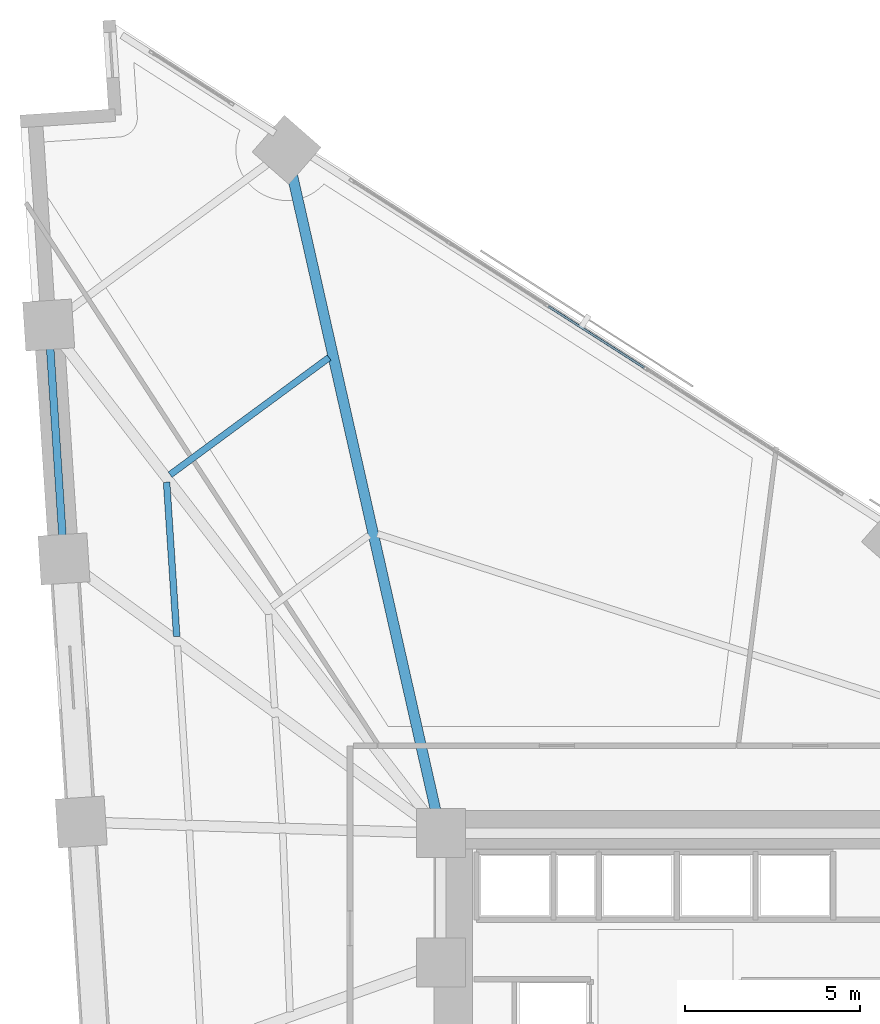
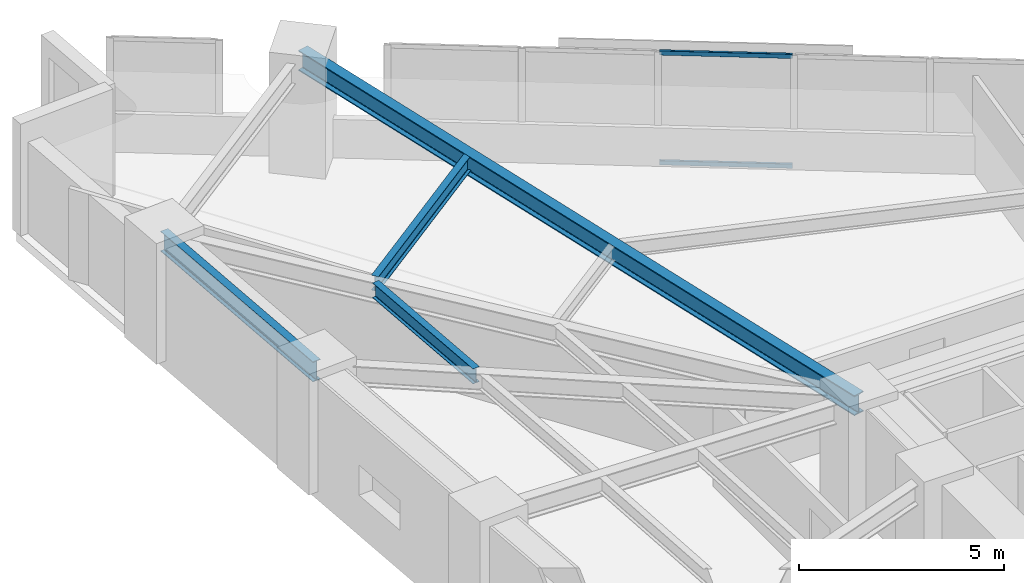
# One storey, part 8 of 16: 4 beams, 2 members, 1 element without a shape of its own.
"""IFC4 building model written with IfcOpenShell, lengths in metres."""

from ifc_helpers import new_model, si_unit, direction, frame, origin, origin_2d, place, context, subcontext, project, spatial, hollow_rectangle, i_section, extrude, material, material_profile, profile_set, type_object, element, aggregate, save


model = new_model("IFC4")

# Units and contexts
model_context = context("Model", 3, precision=1e-05, world=origin(), true_north=direction((0.0, 1.0)))
body_context = subcontext(model_context, "Body", "Model", "MODEL_VIEW")
ifc_project = project(units=[si_unit("LENGTHUNIT", "METRE"), si_unit("AREAUNIT", "SQUARE_METRE"), si_unit("VOLUMEUNIT", "CUBIC_METRE"), si_unit("PLANEANGLEUNIT", "RADIAN"), si_unit("MASSUNIT", "GRAM", prefix="KILO")], contexts=[model_context])

# Site, building, storey
site_placement = place(None, origin())
site = spatial("IfcSite", under=ifc_project, at=site_placement, CompositionType="ELEMENT")
building_placement = place(site_placement, origin())
building = spatial("IfcBuilding", under=site, at=building_placement, Name="Narakoshi Arena Tower", CompositionType="ELEMENT")
storey_placement = place(building_placement, frame((0.0, 0.0, 77.699951171875)))
storey = spatial("IfcBuildingStorey", under=building, at=storey_placement, Name="L20", CompositionType="ELEMENT", Elevation=77.699951171875)

# Beams
ifc_material_1 = material(Name="Structural steel S355J2", Category="steel")
ifc_material_profile_1 = material_profile(ifc_material_1, i_section(OverallWidth=0.219970703125, OverallDepth=0.60009765625, WebThickness=0.011962890625, FlangeThickness=0.01904296875, FilletRadius=0.02392578125, at=origin_2d()), Name="IPE600")
ifc_profile_set_1 = profile_set([ifc_material_profile_1], Name="Structural steel S355J2")
beam_type_1 = type_object("IfcBeamType", Name="BM-EDGE-600", PredefinedType="BEAM", material=ifc_profile_set_1)
beam_1_placement = place(storey_placement, frame((60.785400390625, 71.031005859375, 3.0400390625), z_axis=(0.065421350693, -0.997857728774, 0.0), x_axis=(0.997857728774, 0.065421350693, 0.0)))
element("IfcBeam", 1, at=beam_1_placement, inside=storey, type_object=beam_type_1, Name="L20 Perimeter Edge Girder 12", PredefinedType="BEAM", context=body_context, shape_type="SweptSolid", body=[
    extrude(i_section(OverallWidth=0.219970703125, OverallDepth=0.60009765625, WebThickness=0.011962890625, FlangeThickness=0.01904296875, FilletRadius=0.02392578125, at=origin_2d()), origin(), (0.0, 0.0, 1.0), 6.702392578125),
])
ifc_material_profile_2 = material_profile(ifc_material_1, i_section(OverallWidth=0.300048828125, OverallDepth=0.60009765625, WebThickness=0.015380859375, FlangeThickness=0.030029296875, FilletRadius=0.027099609375, at=origin_2d()), Name="HE600B")
ifc_profile_set_2 = profile_set([ifc_material_profile_2], Name="Structural steel S355J2")
beam_type_2 = type_object("IfcBeamType", Name="BM-PRI-600", PredefinedType="BEAM", material=ifc_profile_set_2)
beam_2_placement = place(storey_placement, frame((72.0, 56.5, 3.0400390625), z_axis=(-0.220123978285, 0.975471903329, 0.0), x_axis=(-0.975471903329, -0.220123978285, 0.0)))
element("IfcBeam", 2, at=beam_2_placement, inside=storey, type_object=beam_type_2, Name="L20 Radial Primary Floor Girder 11", PredefinedType="BEAM", context=body_context, shape_type="SweptSolid", body=[
    extrude(i_section(OverallWidth=0.300048828125, OverallDepth=0.60009765625, WebThickness=0.015380859375, FlangeThickness=0.030029296875, FilletRadius=0.027099609375, at=origin_2d()), origin(), (0.0, 0.0, 1.0), 20.034912109375),
])
ifc_material_profile_3 = material_profile(ifc_material_1, i_section(OverallWidth=0.18994140625, OverallDepth=0.449951171875, WebThickness=0.009521484375, FlangeThickness=0.0146484375, FilletRadius=0.02099609375, at=origin_2d()), Name="IPE450")
ifc_profile_set_3 = profile_set([ifc_material_profile_3], Name="Structural steel S355J2")
beam_type_3 = type_object("IfcBeamType", Name="BM-SEC-450", PredefinedType="JOIST", material=ifc_profile_set_3)
beam_3_placement = place(storey_placement, frame((68.80419921875, 70.100341796875, 3.114990234375), z_axis=(-0.805123218291, -0.593107581615, 0.0), x_axis=(0.593107581615, -0.805123218291, 0.0)))
element("IfcBeam", 3, at=beam_3_placement, inside=storey, type_object=beam_type_3, Name="L20 Composite Secondary Floor Joist 11", PredefinedType="JOIST", context=body_context, shape_type="SweptSolid", body=[
    extrude(i_section(OverallWidth=0.18994140625, OverallDepth=0.449951171875, WebThickness=0.009521484375, FlangeThickness=0.0146484375, FilletRadius=0.02099609375, at=origin_2d()), origin(), (0.0, 0.0, 1.0), 5.64599609375),
])
beam_4_placement = place(storey_placement, frame((64.15869140625, 66.536865234375, 3.114990234375), z_axis=(0.065375559108, -0.997860729897, 0.0), x_axis=(0.997860729897, 0.065375559108, 0.0)))
element("IfcBeam", 4, at=beam_4_placement, inside=storey, type_object=beam_type_3, Name="L20 Composite Secondary Floor Joist 13", PredefinedType="JOIST", context=body_context, shape_type="SweptSolid", body=[
    extrude(i_section(OverallWidth=0.18994140625, OverallDepth=0.449951171875, WebThickness=0.009521484375, FlangeThickness=0.0146484375, FilletRadius=0.02099609375, at=origin_2d()), origin(), (0.0, 0.0, 1.0), 4.421630859375),
])

# Curtain wall, members
ifc_material_2 = material(Name="Anodised bronze aluminium 6063-T6", Category="aluminium")
curtain_wall_type = type_object("IfcCurtainWallType", Name="CW-HYP-LOW", PredefinedType="NOTDEFINED", material=ifc_material_2)
curtain_wall_placement = place(storey_placement, origin())
curtain_wall = element("IfcCurtainWall", 5, at=curtain_wall_placement, inside=storey, type_object=curtain_wall_type, Name="L20 Folded Hypotenuse Curtain Wall 2-2", PredefinedType="NOTDEFINED")
ifc_material_profile_4 = material_profile(ifc_material_2, hollow_rectangle(XDim=0.06494140625, YDim=0.1298828125, WallThickness=0.00390625, OuterFilletRadius=0.0048828125, at=origin_2d()), Name="TRN130x65x4")
ifc_profile_set_4 = profile_set([ifc_material_profile_4], Name="Anodised bronze aluminium 6063-T6")
member_type = type_object("IfcMemberType", Name="MEM-TRN-130", PredefinedType="USERDEFINED", material=ifc_profile_set_4)
member_1_placement = place(storey_placement, frame((77.81201171875, 69.813720703125, 0.032470703125), z_axis=(-0.842407668774, 0.5388407182, 0.0), x_axis=(-0.5388407182, -0.842407668774, 0.0)))
member_1 = element("IfcMember", 6, at=member_1_placement, type_object=member_type, Name="CW-01 transom 3.1", ObjectType="TRANSOM", PredefinedType="USERDEFINED", context=body_context, shape_type="SweptSolid", body=[
    extrude(hollow_rectangle(XDim=0.06494140625, YDim=0.1298828125, WallThickness=0.00390625, OuterFilletRadius=0.0048828125, at=origin_2d()), origin(), (0.0, 0.0, 1.0), 3.253173828125),
])
member_2_placement = place(storey_placement, frame((77.81201171875, 69.813720703125, 3.3076171875), z_axis=(-0.842407668774, 0.5388407182, 0.0), x_axis=(-0.5388407182, -0.842407668774, 0.0)))
member_2 = element("IfcMember", 7, at=member_2_placement, type_object=member_type, Name="CW-01 transom 3.2", ObjectType="TRANSOM", PredefinedType="USERDEFINED", context=body_context, shape_type="SweptSolid", body=[
    extrude(hollow_rectangle(XDim=0.06494140625, YDim=0.1298828125, WallThickness=0.00390625, OuterFilletRadius=0.0048828125, at=origin_2d()), origin(), (0.0, 0.0, 1.0), 3.253173828125),
])
aggregate(curtain_wall, [member_1, member_2])

save(model, "model.ifc")
